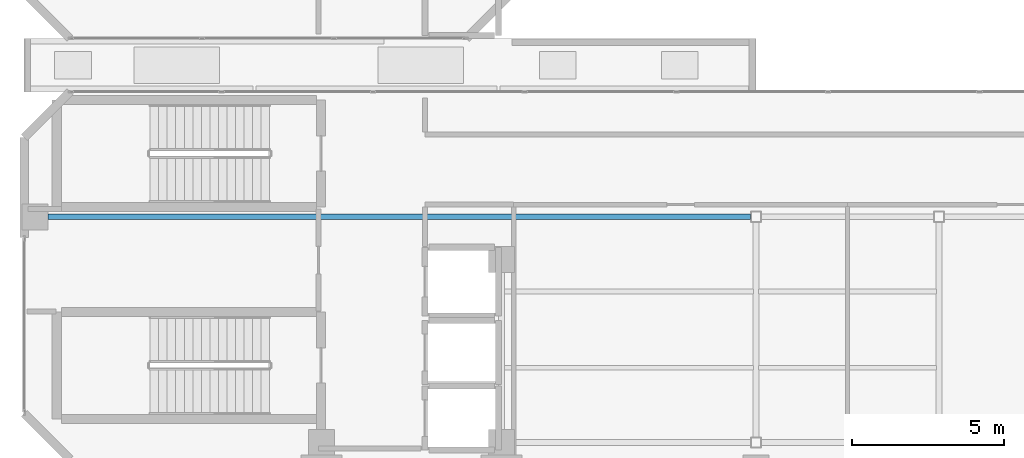
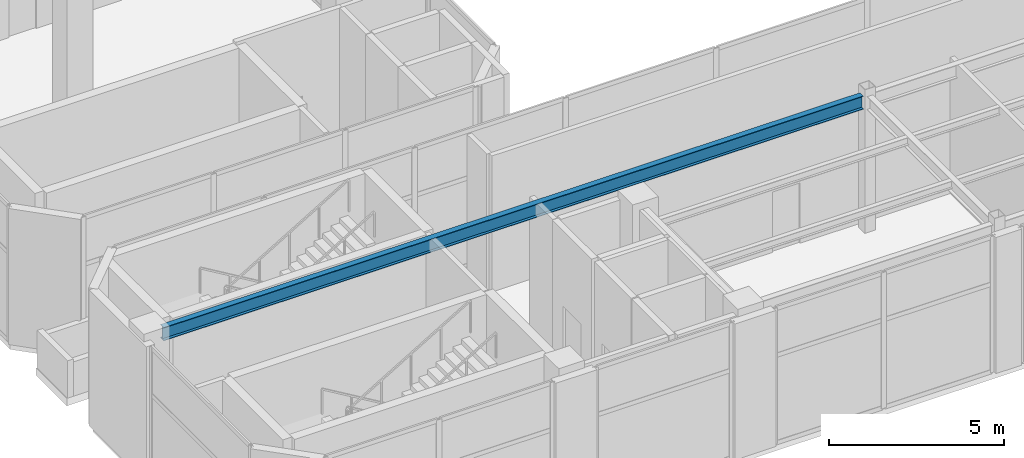
# One storey, part 4 of 18: 1 beam.
"""IFC4 building model written with IfcOpenShell, lengths in metres."""

from ifc_helpers import new_model, si_unit, direction, frame, origin, origin_2d, place, context, subcontext, project, spatial, i_section, extrude, material, material_profile, profile_set, type_object, element, save


model = new_model("IFC4")

# Units and contexts
model_context = context("Model", 3, precision=1e-05, world=origin(), true_north=direction((0.0, 1.0)))
body_context = subcontext(model_context, "Body", "Model", "MODEL_VIEW")
ifc_project = project(units=[si_unit("LENGTHUNIT", "METRE"), si_unit("AREAUNIT", "SQUARE_METRE"), si_unit("VOLUMEUNIT", "CUBIC_METRE"), si_unit("PLANEANGLEUNIT", "RADIAN"), si_unit("MASSUNIT", "GRAM", prefix="KILO")], contexts=[model_context])

# Site, building, storey
site_placement = place(None, origin())
site = spatial("IfcSite", under=ifc_project, at=site_placement, CompositionType="ELEMENT")
building_placement = place(site_placement, origin())
building = spatial("IfcBuilding", under=site, at=building_placement, Name="Mawjaban Terraces University", CompositionType="ELEMENT")
storey_placement = place(building_placement, frame((0.0, 0.0, 316.699951171875)))
storey = spatial("IfcBuildingStorey", under=building, at=storey_placement, Name="L77", CompositionType="ELEMENT", Elevation=316.699951171875)

# Beam
ifc_material = material(Name="Steel ASTM A572 Grade 50", Category="steel")
ifc_material_profile = material_profile(ifc_material, i_section(OverallWidth=0.19189453125, OverallDepth=0.462890625, WebThickness=0.010498046875, FlangeThickness=0.017578125, at=origin_2d()), Name="W460X89")
ifc_profile_set = profile_set([ifc_material_profile], Name="Steel ASTM A572 Grade 50")
beam_type = type_object("IfcBeamType", Name="Beam_B_W460X89", PredefinedType="BEAM", material=ifc_profile_set)
beam_placement = place(storey_placement, frame((22.77490234375, 7.949951171875, 4.509033203125), z_axis=(1.0, 0.0, 0.0), x_axis=(0.0, 1.0, 0.0)))
element("IfcBeam", 1, at=beam_placement, inside=storey, type_object=beam_type, Name="L77 Beam BM-L77-EW-03", PredefinedType="BEAM", context=body_context, shape_type="SweptSolid", body=[
    extrude(i_section(OverallWidth=0.19189453125, OverallDepth=0.462890625, WebThickness=0.010498046875, FlangeThickness=0.017578125, at=origin_2d()), origin(), (0.0, 0.0, 1.0), 23.050048828125),
])

save(model, "model.ifc")
